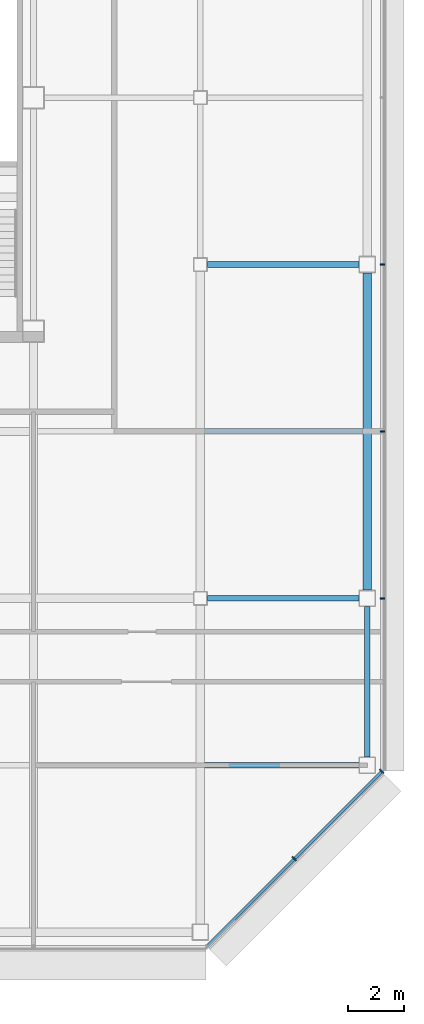
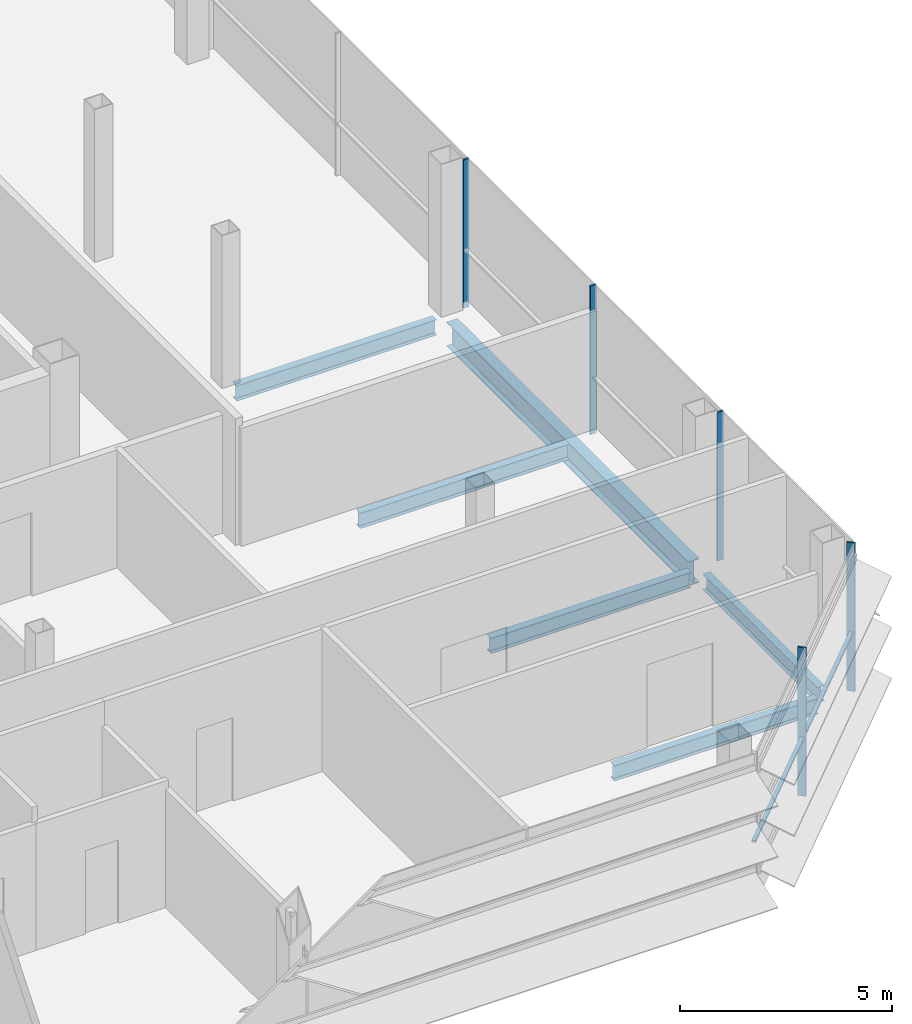
# One storey, part 17 of 29: 6 beams, 6 members, 2 elements without a shape of their own.
"""IFC4 building model written with IfcOpenShell, lengths in metres."""

from ifc_helpers import new_model, si_unit, direction, frame, origin, origin_2d, place, context, subcontext, project, spatial, rectangle, i_section, extrude, material, material_profile, profile_set, type_object, element, aggregate, save


model = new_model("IFC4")

# Units and contexts
model_context = context("Model", 3, precision=1e-05, world=origin(), true_north=direction((0.0, 1.0)))
body_context = subcontext(model_context, "Body", "Model", "MODEL_VIEW")
ifc_project = project(units=[si_unit("LENGTHUNIT", "METRE"), si_unit("AREAUNIT", "SQUARE_METRE"), si_unit("VOLUMEUNIT", "CUBIC_METRE"), si_unit("PLANEANGLEUNIT", "RADIAN"), si_unit("MASSUNIT", "GRAM", prefix="KILO")], contexts=[model_context])

# Site, building, storey
site_placement = place(None, origin())
site = spatial("IfcSite", under=ifc_project, at=site_placement, CompositionType="ELEMENT")
building_placement = place(site_placement, origin())
building = spatial("IfcBuilding", under=site, at=building_placement, Name="Sorahane Residences", CompositionType="ELEMENT")
storey_placement = place(building_placement, frame((0.0, 0.0, 277.39990234375)))
storey = spatial("IfcBuildingStorey", under=building, at=storey_placement, Name="L66", CompositionType="ELEMENT", Elevation=277.39990234375)

# Curtain wall, members
ifc_material_1 = material(Name="Dark low-e glass and black anodised aluminium", Category="aluminium")
curtain_wall_type_1 = type_object("IfcCurtainWallType", Name="Curtain wall CW-1 Typical unitised wall", PredefinedType="NOTDEFINED", material=ifc_material_1)
curtain_wall_1_placement = place(storey_placement, origin())
curtain_wall_1 = element("IfcCurtainWall", 1, at=curtain_wall_1_placement, inside=storey, type_object=curtain_wall_type_1, Name="CW-1 curtain wall L66 E1", PredefinedType="NOTDEFINED")
ifc_material_2 = material(Name="Black anodised aluminium", Category="aluminium")
ifc_material_profile_1 = material_profile(ifc_material_2, rectangle(XDim=0.159912109375, YDim=0.050048828125, at=origin_2d()), Name="Curtain wall mullion CW-1 black anodised aluminium 50x160")
ifc_profile_set_1 = profile_set([ifc_material_profile_1], Name="Black anodised aluminium")
member_type_1 = type_object("IfcMemberType", Name="Curtain wall mullion CW-1 black anodised aluminium 50x160", PredefinedType="MULLION", material=ifc_profile_set_1)
member_1_placement = place(storey_placement, frame((54.5400390625, 12.0, -0.179931640625), z_axis=(0.0, 0.0, 1.0), x_axis=(1.0, 0.0, 0.0)))
member_1 = element("IfcMember", 2, at=member_1_placement, type_object=member_type_1, Name="CW-1 mullion L66 E1.2", PredefinedType="MULLION", context=body_context, shape_type="SweptSolid", body=[
    extrude(rectangle(XDim=0.159912109375, YDim=0.050048828125, at=origin_2d()), origin(), (0.0, 0.0, 1.0), 4.280029296875),
])
member_2_placement = place(storey_placement, frame((54.5400390625, 18.0, -0.179931640625), z_axis=(0.0, 0.0, 1.0), x_axis=(1.0, 0.0, 0.0)))
member_2 = element("IfcMember", 3, at=member_2_placement, type_object=member_type_1, Name="CW-1 mullion L66 E1.3", PredefinedType="MULLION", context=body_context, shape_type="SweptSolid", body=[
    extrude(rectangle(XDim=0.159912109375, YDim=0.050048828125, at=origin_2d()), origin(), (0.0, 0.0, 1.0), 4.280029296875),
])
member_3_placement = place(storey_placement, frame((54.5400390625, 24.0, -0.179931640625), z_axis=(0.0, 0.0, 1.0), x_axis=(1.0, 0.0, 0.0)))
member_3 = element("IfcMember", 4, at=member_3_placement, type_object=member_type_1, Name="CW-1 mullion L66 E1.4", PredefinedType="MULLION", context=body_context, shape_type="SweptSolid", body=[
    extrude(rectangle(XDim=0.159912109375, YDim=0.050048828125, at=origin_2d()), origin(), (0.0, 0.0, 1.0), 4.280029296875),
])
aggregate(curtain_wall_1, [member_1, member_2, member_3])

ifc_material_3 = material(Name="Dark low-e glass and black anodised aluminium", Category="aluminium")
curtain_wall_type_2 = type_object("IfcCurtainWallType", Name="Curtain wall CW-2 Chamfer unitised wall", PredefinedType="NOTDEFINED", material=ifc_material_3)
curtain_wall_2_placement = place(storey_placement, origin())
curtain_wall_2 = element("IfcCurtainWall", 5, at=curtain_wall_2_placement, inside=storey, type_object=curtain_wall_type_2, Name="CW-2 curtain wall L66 SE1", PredefinedType="NOTDEFINED")
ifc_material_4 = material(Name="Black anodised aluminium", Category="aluminium")
ifc_material_profile_2 = material_profile(ifc_material_4, rectangle(XDim=0.199951171875, YDim=0.050048828125, at=origin_2d()), Name="Curtain wall mullion CW-2 black anodised aluminium 50x200")
ifc_profile_set_2 = profile_set([ifc_material_profile_2], Name="Black anodised aluminium")
member_type_2 = type_object("IfcMemberType", Name="Curtain wall mullion CW-2 black anodised aluminium 50x200", PredefinedType="MULLION", material=ifc_profile_set_2)
member_4_placement = place(storey_placement, frame((51.36767578125, 2.63232421875, -0.179931640625), z_axis=(0.0, 0.0, 1.0), x_axis=(0.707106781187, -0.707106781187, 0.0)))
member_4 = element("IfcMember", 6, at=member_4_placement, type_object=member_type_2, Name="CW-2 mullion L66 SE1.2", PredefinedType="MULLION", context=body_context, shape_type="SweptSolid", body=[
    extrude(rectangle(XDim=0.199951171875, YDim=0.050048828125, at=origin_2d()), origin(), (0.0, 0.0, 1.0), 4.280029296875),
])
member_5_placement = place(storey_placement, frame((54.525634765625, 5.790283203125, -0.179931640625), z_axis=(0.0, 0.0, 1.0), x_axis=(0.707106781187, -0.707106781187, 0.0)))
member_5 = element("IfcMember", 7, at=member_5_placement, type_object=member_type_2, Name="CW-2 mullion L66 SE1.3", PredefinedType="MULLION", context=body_context, shape_type="SweptSolid", body=[
    extrude(rectangle(XDim=0.199951171875, YDim=0.050048828125, at=origin_2d()), origin(), (0.0, 0.0, 1.0), 4.280029296875),
])
ifc_material_5 = material(Name="Black anodised aluminium", Category="aluminium")
ifc_material_profile_3 = material_profile(ifc_material_5, rectangle(XDim=0.10009765625, YDim=0.06005859375, at=origin_2d()), Name="Curtain wall transom CW-2 black anodised aluminium 60x100")
ifc_profile_set_3 = profile_set([ifc_material_profile_3], Name="Black anodised aluminium")
member_type_3 = type_object("IfcMemberType", Name="Curtain wall transom CW-2 black anodised aluminium 60x100", PredefinedType="USERDEFINED", material=ifc_profile_set_3)
member_6_placement = place(storey_placement, frame((48.234375, -0.51513671875, 1.5), z_axis=(0.707106781187, 0.707106781187, 0.0), x_axis=(-0.707106781187, 0.707106781187, 0.0)))
member_6 = element("IfcMember", 8, at=member_6_placement, type_object=member_type_3, Name="CW-2 transom L66 SE1", ObjectType="TRANSOM", PredefinedType="USERDEFINED", context=body_context, shape_type="SweptSolid", body=[
    extrude(rectangle(XDim=0.10009765625, YDim=0.06005859375, at=origin_2d()), origin(), (0.0, 0.0, 1.0), 8.88232421875),
])
aggregate(curtain_wall_2, [member_4, member_5, member_6])

# Beams
ifc_material_6 = material(Name="Steel Q355B", Category="steel")
ifc_material_profile_4 = material_profile(ifc_material_6, i_section(OverallWidth=0.199951171875, OverallDepth=0.449951171875, WebThickness=0.009033203125, FlangeThickness=0.013916015625, FilletRadius=0.02001953125, at=origin_2d()), Name="HN 450x200x9x14")
ifc_profile_set_4 = profile_set([ifc_material_profile_4], Name="Steel Q355B")
beam_type_1 = type_object("IfcBeamType", Name="Steel floor beam HN 450x200x9x14 Q355B", PredefinedType="BEAM", material=ifc_profile_set_4)
for number, where, z_axis, x_axis, name in (
    (9, (48.25, 12.0, -0.40478515625), (1.0, 0.0, 0.0), (0.0, 1.0, 0.0), "Beam L66 010"),
    (10, (48.25, 24.0, -0.40478515625), (1.0, 0.0, 0.0), (0.0, 1.0, 0.0), "Beam L66 012"),
):
    element("IfcBeam", number, at=place(storey_placement, frame(where, z_axis=z_axis, x_axis=x_axis)), inside=storey, type_object=beam_type_1, Name=name, PredefinedType="BEAM", context=body_context, shape_type="SweptSolid", body=[
        extrude(i_section(OverallWidth=0.199951171875, OverallDepth=0.449951171875, WebThickness=0.009033203125, FlangeThickness=0.013916015625, FilletRadius=0.02001953125, at=origin_2d()), origin(), (0.0, 0.0, 1.0), 5.449951171875),
    ])
beam_1_placement = place(storey_placement, frame((54.0, 6.300048828125, -0.40478515625), z_axis=(0.0, 1.0, 0.0), x_axis=(-1.0, 0.0, 0.0)))
element("IfcBeam", 11, at=beam_1_placement, inside=storey, type_object=beam_type_1, Name="Beam L66 064", PredefinedType="BEAM", context=body_context, shape_type="SweptSolid", body=[
    extrude(i_section(OverallWidth=0.199951171875, OverallDepth=0.449951171875, WebThickness=0.009033203125, FlangeThickness=0.013916015625, FilletRadius=0.02001953125, at=origin_2d()), origin(), (0.0, 0.0, 1.0), 5.39990234375),
])
beam_2_placement = place(storey_placement, frame((48.14990234375, 6.0, -0.40478515625), z_axis=(1.0, 0.0, 0.0), x_axis=(0.0, 1.0, 0.0)))
element("IfcBeam", 12, at=beam_2_placement, inside=storey, type_object=beam_type_1, Name="Beam L66 077", PredefinedType="BEAM", context=body_context, shape_type="SweptSolid", body=[
    extrude(i_section(OverallWidth=0.199951171875, OverallDepth=0.449951171875, WebThickness=0.009033203125, FlangeThickness=0.013916015625, FilletRadius=0.02001953125, at=origin_2d()), origin(), (0.0, 0.0, 1.0), 5.550048828125),
])
beam_3_placement = place(storey_placement, frame((48.14990234375, 18.0, -0.40478515625), z_axis=(1.0, 0.0, 0.0), x_axis=(0.0, 1.0, 0.0)))
element("IfcBeam", 13, at=beam_3_placement, inside=storey, type_object=beam_type_1, Name="Beam L66 084", PredefinedType="BEAM", context=body_context, shape_type="SweptSolid", body=[
    extrude(i_section(OverallWidth=0.199951171875, OverallDepth=0.449951171875, WebThickness=0.009033203125, FlangeThickness=0.013916015625, FilletRadius=0.02001953125, at=origin_2d()), origin(), (0.0, 0.0, 1.0), 5.7001953125),
])
ifc_material_7 = material(Name="Steel Q355B", Category="steel")
ifc_material_profile_5 = material_profile(ifc_material_7, i_section(OverallWidth=0.300048828125, OverallDepth=0.699951171875, WebThickness=0.012939453125, FlangeThickness=0.02392578125, FilletRadius=0.028076171875, at=origin_2d()), Name="HN 700x300x13x24")
ifc_profile_set_5 = profile_set([ifc_material_profile_5], Name="Steel Q355B")
beam_type_2 = type_object("IfcBeamType", Name="Steel floor beam HN 700x300x13x24 Q355B", PredefinedType="BEAM", material=ifc_profile_set_5)
beam_4_placement = place(storey_placement, frame((54.0, 12.300048828125, -0.52978515625), z_axis=(0.0, 1.0, 0.0), x_axis=(-1.0, 0.0, 0.0)))
element("IfcBeam", 14, at=beam_4_placement, inside=storey, type_object=beam_type_2, Name="Beam L66 065", PredefinedType="BEAM", context=body_context, shape_type="SweptSolid", body=[
    extrude(i_section(OverallWidth=0.300048828125, OverallDepth=0.699951171875, WebThickness=0.012939453125, FlangeThickness=0.02392578125, FilletRadius=0.028076171875, at=origin_2d()), origin(), (0.0, 0.0, 1.0), 11.39990234375),
])

save(model, "model.ifc")
